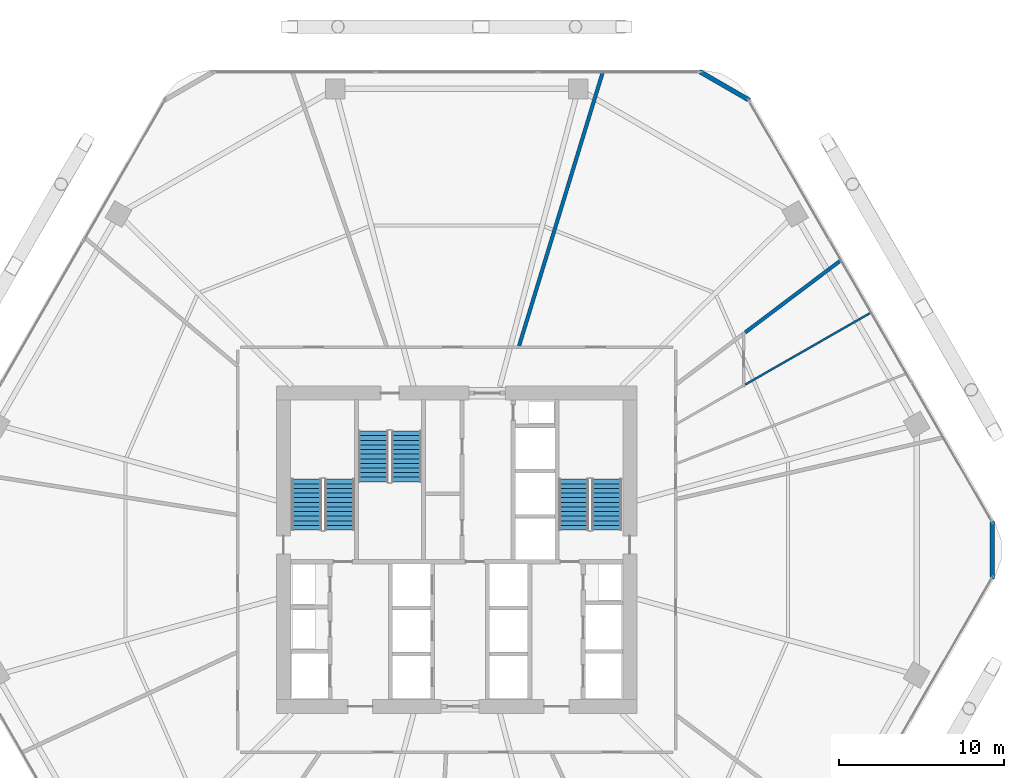
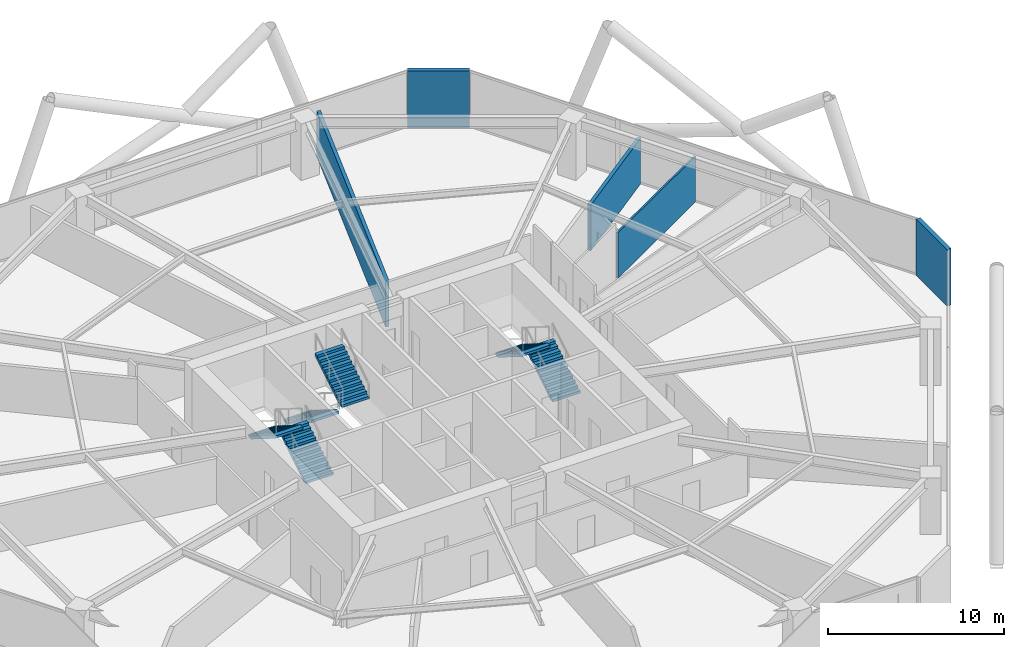
# One storey, part 28 of 29: 6 stair flights, 5 walls, 3 elements without a shape of their own.
"""IFC4 building model written with IfcOpenShell, lengths in metres."""

from ifc_helpers import new_model, si_unit, direction, frame, frame_2d, origin, place, context, subcontext, project, spatial, polyline, rectangle, outline, extrude, material, layer, layer_set, type_object, element, aggregate, save


model = new_model("IFC4")

# Units and contexts
model_context = context("Model", 3, precision=1e-05, world=origin(), true_north=direction((0.0, 1.0)))
body_context = subcontext(model_context, "Body", "Model", "MODEL_VIEW")
ifc_project = project(units=[si_unit("LENGTHUNIT", "METRE"), si_unit("AREAUNIT", "SQUARE_METRE"), si_unit("VOLUMEUNIT", "CUBIC_METRE"), si_unit("PLANEANGLEUNIT", "RADIAN"), si_unit("MASSUNIT", "GRAM", prefix="KILO")], contexts=[model_context])

# Site, building, storey
site_placement = place(None, origin())
site = spatial("IfcSite", under=ifc_project, at=site_placement, CompositionType="ELEMENT")
building_placement = place(site_placement, origin())
building = spatial("IfcBuilding", under=site, at=building_placement, Name="Zuhravey Tower", CompositionType="ELEMENT")
storey_placement = place(building_placement, frame((0.0, 0.0, 41.39990234375)))
storey = spatial("IfcBuildingStorey", under=building, at=storey_placement, Name="L10", CompositionType="ELEMENT", Elevation=41.39990234375)

# Walls
ifc_material_1 = material(Name="Precast concrete C40/50", Category="concrete")
ifc_layer_1 = layer(ifc_material_1, 0.280029296875)
ifc_layer_set_1 = layer_set([ifc_layer_1], Name="Precast concrete C40/50")
wall_type_1 = type_object("IfcWallType", Name="Crown Architectural Wall 280", PredefinedType="SOLIDWALL", material=ifc_layer_set_1)
wall_1_placement = place(storey_placement, frame((50.71728515625, 61.006103515625, 0.0), z_axis=(0.0, 0.0, 1.0), x_axis=(0.866007452331, -0.500031091541, 0.0)))
element("IfcWall", 1, at=wall_1_placement, inside=storey, type_object=wall_type_1, Name="L10 Rounded Corner Closure Wall EW28-10", PredefinedType="SOLIDWALL", context=body_context, shape_type="SweptSolid", body=[
    extrude(rectangle(XDim=3.514892578125, YDim=0.280029296875, at=frame_2d((1.75732421875, 0.0))), origin(), (0.0, 0.0, 1.0), 3.920166015625),
])
wall_2_placement = place(storey_placement, frame((68.478515625, 33.757568359375, 0.0), z_axis=(0.0, 0.0, 1.0), x_axis=(0.0, -1.0, 0.0)))
element("IfcWall", 2, at=wall_2_placement, inside=storey, type_object=wall_type_1, Name="L10 Rounded Corner Closure Wall EW28-12", PredefinedType="SOLIDWALL", context=body_context, shape_type="SweptSolid", body=[
    extrude(rectangle(XDim=3.51513671875, YDim=0.280029296875, at=frame_2d((1.757568359375, 0.0))), origin(), (0.0, 0.0, 1.0), 3.920166015625),
])
ifc_material_2 = material(Name="Gypsum acoustic stud assembly")
ifc_layer_2 = layer(ifc_material_2, 0.219970703125)
ifc_layer_set_2 = layer_set([ifc_layer_2], Name="Gypsum acoustic stud assembly")
wall_type_2 = type_object("IfcWallType", Name="School Acoustic Compartment Wall 220", PredefinedType="PARTITIONING", material=ifc_layer_set_2)
wall_3_placement = place(storey_placement, frame((53.492919921875, 45.181884765625, 0.0), z_axis=(0.0, 0.0, 1.0), x_axis=(0.798624171574, 0.60183006952, 0.0)))
element("IfcWall", 3, at=wall_3_placement, inside=storey, type_object=wall_type_2, Name="L10 IW22 Partition 046", PredefinedType="PARTITIONING", context=body_context, shape_type="SweptSolid", body=[
    extrude(rectangle(XDim=7.272216796875, YDim=0.219970703125, at=frame_2d((3.63623046875, 0.0))), origin(), (0.0, 0.0, 1.0), 3.170166015625),
])
wall_4_placement = place(storey_placement, frame((39.78271484375, 44.373046875, 0.0), z_axis=(0.0, 0.0, 1.0), x_axis=(0.29237803707, 0.956302819947, 0.0)))
element("IfcWall", 4, at=wall_4_placement, inside=storey, type_object=wall_type_2, Name="L10 IW22 Partition 047", PredefinedType="PARTITIONING", context=body_context, shape_type="SweptSolid", body=[
    extrude(rectangle(XDim=17.34326171875, YDim=0.219970703125, at=frame_2d((8.671630859375, 0.0))), origin(), (0.0, 0.0, 1.0), 3.170166015625),
])
ifc_material_3 = material(Name="Gypsum metal-stud partition")
ifc_layer_3 = layer(ifc_material_3, 0.1201171875)
ifc_layer_set_3 = layer_set([ifc_layer_3], Name="Gypsum metal-stud partition")
wall_type_3 = type_object("IfcWallType", Name="Unit Internal Partition 120", PredefinedType="PARTITIONING", material=ifc_layer_set_3)
wall_5_placement = place(storey_placement, frame((53.492919921875, 42.018310546875, 0.0), z_axis=(0.0, 0.0, 1.0), x_axis=(0.867773256473, 0.496960335791, 0.0)))
element("IfcWall", 5, at=wall_5_placement, inside=storey, type_object=wall_type_3, Name="L10 IW12 Partition 044", PredefinedType="PARTITIONING", context=body_context, shape_type="SweptSolid", body=[
    extrude(rectangle(XDim=8.800048828125, YDim=0.1201171875, at=frame_2d((4.39990234375, 0.0))), origin(), (0.0, 0.0, 1.0), 3.170166015625),
])

# Stair, stair flights
ifc_material_4 = material(Name="Concrete C40/50", Category="concrete")
stair_type = type_object("IfcStairType", Name="School Storey Stair Assembly 4200", PredefinedType="HALF_TURN_STAIR", material=ifc_material_4)
stair_1_placement = place(storey_placement, origin())
stair_1 = element("IfcStair", 6, at=stair_1_placement, inside=storey, type_object=stair_type, Name="L10 Core Exit Stair ST1", PredefinedType="HALF_TURN_STAIR")
stair_flight_type = type_object("IfcStairFlightType", Name="School Storey Stair Flight 4200", PredefinedType="STRAIGHT", material=ifc_material_4)
stair_flight_1_placement = place(storey_placement, frame((28.89990234375, 33.199951171875, 0.0), z_axis=(0.0, 0.0, 1.0), x_axis=(0.0, 1.0, 0.0)))
stair_flight_1 = element("IfcStairFlight", 7, at=stair_flight_1_placement, type_object=stair_flight_type, Name="ST1 flight 1", NumberOfRisers=12, NumberOfTreads=11, PredefinedType="STRAIGHT", RiserHeight=0.175, TreadLength=0.28, context=body_context, shape_type="SweptSolid", body=[
    extrude(outline(polyline([(0.0, 0.0), (0.0, 0.175048828125), (0.280029296875, 0.175048828125), (0.280029296875, 0.35009765625), (0.56005859375, 0.35009765625), (0.56005859375, 0.52490234375), (0.840087890625, 0.52490234375), (0.840087890625, 0.699951171875), (1.1201171875, 0.699951171875), (1.1201171875, 0.875), (1.39990234375, 0.875), (1.39990234375, 1.050048828125), (1.679931640625, 1.050048828125), (1.679931640625, 1.22509765625), (1.9599609375, 1.22509765625), (1.9599609375, 1.39990234375), (2.239990234375, 1.39990234375), (2.239990234375, 1.574951171875), (2.52001953125, 1.574951171875), (2.52001953125, 1.75), (2.800048828125, 1.75), (2.800048828125, 1.925048828125), (3.080078125, 1.925048828125), (3.080078125, 2.10009765625), (3.080078125, 1.748291015625), (0.28271484375, 0.0), (0.0, 0.0)])), frame((0.0, 0.89990234375, 0.0), z_axis=(0.0, -1.0, 0.0), x_axis=(1.0, 0.0, 0.0)), (0.0, 0.0, 1.0), 1.800048828125),
])
stair_flight_2_placement = place(storey_placement, frame((26.89990234375, 36.280029296875, 2.10009765625), z_axis=(0.0, 0.0, 1.0), x_axis=(0.0, -1.0, 0.0)))
stair_flight_2 = element("IfcStairFlight", 8, at=stair_flight_2_placement, type_object=stair_flight_type, Name="ST1 flight 2", NumberOfRisers=12, NumberOfTreads=11, PredefinedType="STRAIGHT", RiserHeight=0.175, TreadLength=0.28, context=body_context, shape_type="SweptSolid", body=[
    extrude(outline(polyline([(0.0, 0.0), (0.0, 0.175048828125), (0.280029296875, 0.175048828125), (0.280029296875, 0.35009765625), (0.56005859375, 0.35009765625), (0.56005859375, 0.52490234375), (0.840087890625, 0.52490234375), (0.840087890625, 0.699951171875), (1.1201171875, 0.699951171875), (1.1201171875, 0.875), (1.39990234375, 0.875), (1.39990234375, 1.050048828125), (1.679931640625, 1.050048828125), (1.679931640625, 1.22509765625), (1.9599609375, 1.22509765625), (1.9599609375, 1.39990234375), (2.239990234375, 1.39990234375), (2.239990234375, 1.574951171875), (2.52001953125, 1.574951171875), (2.52001953125, 1.75), (2.800048828125, 1.75), (2.800048828125, 1.925048828125), (3.080078125, 1.925048828125), (3.080078125, 2.10009765625), (3.080078125, 1.748291015625), (0.28271484375, 0.0), (0.0, 0.0)])), frame((0.0, 0.89990234375, 0.0), z_axis=(0.0, -1.0, 0.0), x_axis=(1.0, 0.0, 0.0)), (0.0, 0.0, 1.0), 1.800048828125),
])
aggregate(stair_1, [stair_flight_1, stair_flight_2])

stair_2_placement = place(storey_placement, origin())
stair_2 = element("IfcStair", 9, at=stair_2_placement, inside=storey, type_object=stair_type, Name="L10 Core Exit Stair ST2", PredefinedType="HALF_TURN_STAIR")
stair_flight_3_placement = place(storey_placement, frame((45.10009765625, 33.199951171875, 0.0), z_axis=(0.0, 0.0, 1.0), x_axis=(0.0, 1.0, 0.0)))
stair_flight_3 = element("IfcStairFlight", 10, at=stair_flight_3_placement, type_object=stair_flight_type, Name="ST2 flight 1", NumberOfRisers=12, NumberOfTreads=11, PredefinedType="STRAIGHT", RiserHeight=0.175, TreadLength=0.28, context=body_context, shape_type="SweptSolid", body=[
    extrude(outline(polyline([(0.0, 0.0), (0.0, 0.175048828125), (0.280029296875, 0.175048828125), (0.280029296875, 0.35009765625), (0.56005859375, 0.35009765625), (0.56005859375, 0.52490234375), (0.840087890625, 0.52490234375), (0.840087890625, 0.699951171875), (1.1201171875, 0.699951171875), (1.1201171875, 0.875), (1.39990234375, 0.875), (1.39990234375, 1.050048828125), (1.679931640625, 1.050048828125), (1.679931640625, 1.22509765625), (1.9599609375, 1.22509765625), (1.9599609375, 1.39990234375), (2.239990234375, 1.39990234375), (2.239990234375, 1.574951171875), (2.52001953125, 1.574951171875), (2.52001953125, 1.75), (2.800048828125, 1.75), (2.800048828125, 1.925048828125), (3.080078125, 1.925048828125), (3.080078125, 2.10009765625), (3.080078125, 1.748291015625), (0.28271484375, 0.0), (0.0, 0.0)])), frame((0.0, 0.89990234375, 0.0), z_axis=(0.0, -1.0, 0.0), x_axis=(1.0, 0.0, 0.0)), (0.0, 0.0, 1.0), 1.800048828125),
])
stair_flight_4_placement = place(storey_placement, frame((43.10009765625, 36.280029296875, 2.10009765625), z_axis=(0.0, 0.0, 1.0), x_axis=(0.0, -1.0, 0.0)))
stair_flight_4 = element("IfcStairFlight", 11, at=stair_flight_4_placement, type_object=stair_flight_type, Name="ST2 flight 2", NumberOfRisers=12, NumberOfTreads=11, PredefinedType="STRAIGHT", RiserHeight=0.175, TreadLength=0.28, context=body_context, shape_type="SweptSolid", body=[
    extrude(outline(polyline([(0.0, 0.0), (0.0, 0.175048828125), (0.280029296875, 0.175048828125), (0.280029296875, 0.35009765625), (0.56005859375, 0.35009765625), (0.56005859375, 0.52490234375), (0.840087890625, 0.52490234375), (0.840087890625, 0.699951171875), (1.1201171875, 0.699951171875), (1.1201171875, 0.875), (1.39990234375, 0.875), (1.39990234375, 1.050048828125), (1.679931640625, 1.050048828125), (1.679931640625, 1.22509765625), (1.9599609375, 1.22509765625), (1.9599609375, 1.39990234375), (2.239990234375, 1.39990234375), (2.239990234375, 1.574951171875), (2.52001953125, 1.574951171875), (2.52001953125, 1.75), (2.800048828125, 1.75), (2.800048828125, 1.925048828125), (3.080078125, 1.925048828125), (3.080078125, 2.10009765625), (3.080078125, 1.748291015625), (0.28271484375, 0.0), (0.0, 0.0)])), frame((0.0, 0.89990234375, 0.0), z_axis=(0.0, -1.0, 0.0), x_axis=(1.0, 0.0, 0.0)), (0.0, 0.0, 1.0), 1.800048828125),
])
aggregate(stair_2, [stair_flight_3, stair_flight_4])

stair_3_placement = place(storey_placement, origin())
stair_3 = element("IfcStair", 12, at=stair_3_placement, inside=storey, type_object=stair_type, Name="L10 Core Exit Stair ST3", PredefinedType="HALF_TURN_STAIR")
stair_flight_5_placement = place(storey_placement, frame((30.949951171875, 39.199951171875, 0.0), z_axis=(0.0, 0.0, 1.0), x_axis=(0.0, -1.0, 0.0)))
stair_flight_5 = element("IfcStairFlight", 13, at=stair_flight_5_placement, type_object=stair_flight_type, Name="ST3 flight 1", NumberOfRisers=12, NumberOfTreads=11, PredefinedType="STRAIGHT", RiserHeight=0.175, TreadLength=0.28, context=body_context, shape_type="SweptSolid", body=[
    extrude(outline(polyline([(0.0, 0.0), (0.0, 0.175048828125), (0.280029296875, 0.175048828125), (0.280029296875, 0.35009765625), (0.56005859375, 0.35009765625), (0.56005859375, 0.52490234375), (0.840087890625, 0.52490234375), (0.840087890625, 0.699951171875), (1.1201171875, 0.699951171875), (1.1201171875, 0.875), (1.39990234375, 0.875), (1.39990234375, 1.050048828125), (1.679931640625, 1.050048828125), (1.679931640625, 1.22509765625), (1.9599609375, 1.22509765625), (1.9599609375, 1.39990234375), (2.239990234375, 1.39990234375), (2.239990234375, 1.574951171875), (2.52001953125, 1.574951171875), (2.52001953125, 1.75), (2.800048828125, 1.75), (2.800048828125, 1.925048828125), (3.080078125, 1.925048828125), (3.080078125, 2.10009765625), (3.080078125, 1.748291015625), (0.28271484375, 0.0), (0.0, 0.0)])), frame((0.0, 0.89990234375, 0.0), z_axis=(0.0, -1.0, 0.0), x_axis=(1.0, 0.0, 0.0)), (0.0, 0.0, 1.0), 1.800048828125),
])
stair_flight_6_placement = place(storey_placement, frame((32.949951171875, 36.1201171875, 2.10009765625), z_axis=(0.0, 0.0, 1.0), x_axis=(0.0, 1.0, 0.0)))
stair_flight_6 = element("IfcStairFlight", 14, at=stair_flight_6_placement, type_object=stair_flight_type, Name="ST3 flight 2", NumberOfRisers=12, NumberOfTreads=11, PredefinedType="STRAIGHT", RiserHeight=0.175, TreadLength=0.28, context=body_context, shape_type="SweptSolid", body=[
    extrude(outline(polyline([(0.0, 0.0), (0.0, 0.175048828125), (0.280029296875, 0.175048828125), (0.280029296875, 0.35009765625), (0.56005859375, 0.35009765625), (0.56005859375, 0.52490234375), (0.840087890625, 0.52490234375), (0.840087890625, 0.699951171875), (1.1201171875, 0.699951171875), (1.1201171875, 0.875), (1.39990234375, 0.875), (1.39990234375, 1.050048828125), (1.679931640625, 1.050048828125), (1.679931640625, 1.22509765625), (1.9599609375, 1.22509765625), (1.9599609375, 1.39990234375), (2.239990234375, 1.39990234375), (2.239990234375, 1.574951171875), (2.52001953125, 1.574951171875), (2.52001953125, 1.75), (2.800048828125, 1.75), (2.800048828125, 1.925048828125), (3.080078125, 1.925048828125), (3.080078125, 2.10009765625), (3.080078125, 1.748291015625), (0.28271484375, 0.0), (0.0, 0.0)])), frame((0.0, 0.89990234375, 0.0), z_axis=(0.0, -1.0, 0.0), x_axis=(1.0, 0.0, 0.0)), (0.0, 0.0, 1.0), 1.800048828125),
])
aggregate(stair_3, [stair_flight_5, stair_flight_6])

save(model, "model.ifc")
